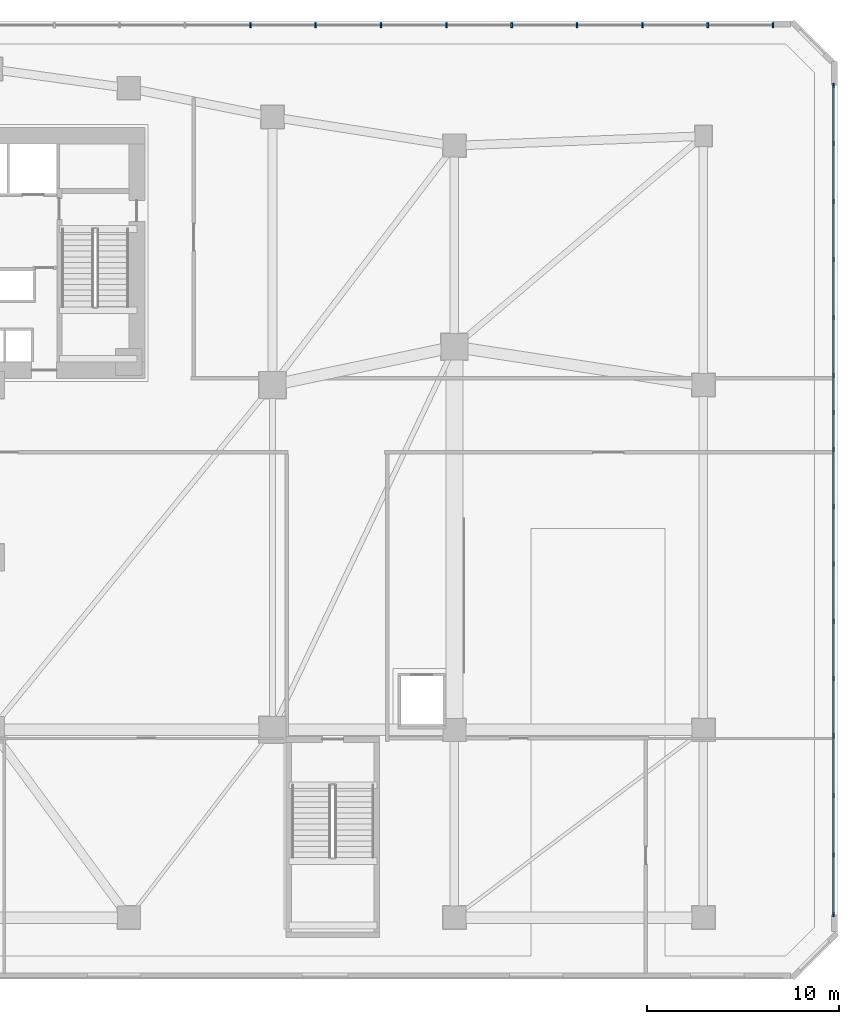
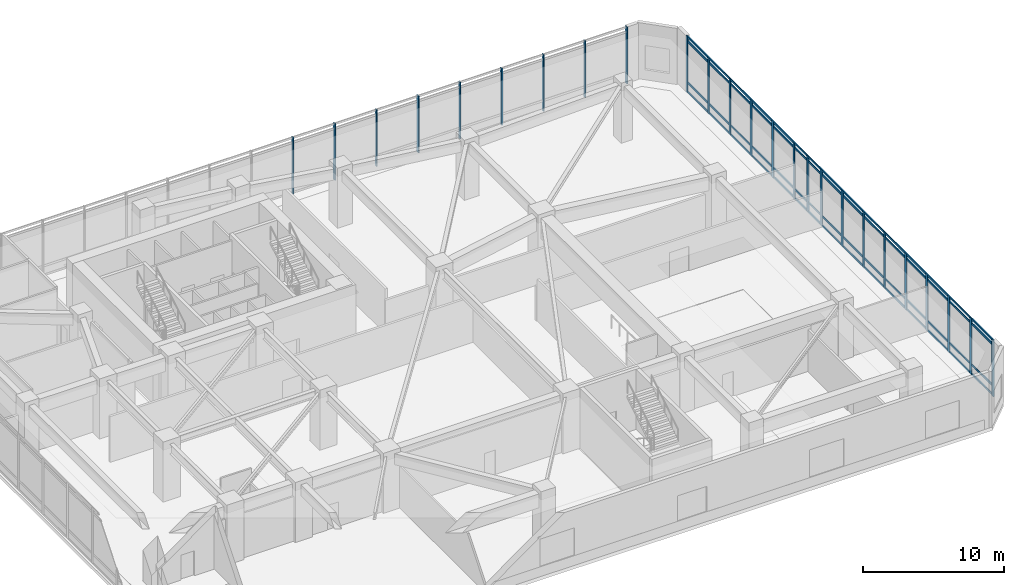
# One storey, part 7 of 15: 29 members, 2 elements without a shape of their own.
"""IFC4 building model written with IfcOpenShell, lengths in metres."""

from ifc_helpers import new_model, si_unit, direction, frame, origin, origin_2d, place, context, subcontext, project, spatial, rectangle, extrude, source, transform, mapped, material, material_profile, profile_set, type_object, element, aggregate, save


model = new_model("IFC4")

# Units and contexts
model_context = context("Model", 3, precision=1e-05, world=origin(), true_north=direction((0.0, 1.0)))
body_context = subcontext(model_context, "Body", "Model", "MODEL_VIEW")
ifc_project = project(units=[si_unit("LENGTHUNIT", "METRE"), si_unit("AREAUNIT", "SQUARE_METRE"), si_unit("VOLUMEUNIT", "CUBIC_METRE"), si_unit("PLANEANGLEUNIT", "RADIAN"), si_unit("MASSUNIT", "GRAM", prefix="KILO")], contexts=[model_context])

# Site, building, storey
site_placement = place(None, origin())
site = spatial("IfcSite", under=ifc_project, at=site_placement, CompositionType="ELEMENT")
building_placement = place(site_placement, origin())
building = spatial("IfcBuilding", under=site, at=building_placement, Name="Calvemar Wedge Station Tower", CompositionType="ELEMENT")
storey_placement = place(building_placement, frame((0.0, 0.0, 16.39990234375)))
storey = spatial("IfcBuildingStorey", under=building, at=storey_placement, Name="L04", CompositionType="ELEMENT", Elevation=16.39990234375)

# Curtain wall, members
ifc_material = material(Name="Anodised aluminium 6063-T6", Category="aluminium")
curtain_wall_type = type_object("IfcCurtainWallType", Name="CW5", PredefinedType="NOTDEFINED", material=ifc_material)
curtain_wall_1_placement = place(storey_placement, origin())
curtain_wall_1 = element("IfcCurtainWall", 1, at=curtain_wall_1_placement, inside=storey, type_object=curtain_wall_type, Name="Storey L04 CW5 Recessed Unitised Curtain Wall 2", PredefinedType="NOTDEFINED")
ifc_material_profile_1 = material_profile(ifc_material, rectangle(XDim=0.0849609375, YDim=0.169921875, at=origin_2d()), Name="AL-TRN-85x170")
ifc_profile_set_1 = profile_set([ifc_material_profile_1], Name="Anodised aluminium 6063-T6")
member_type_1 = type_object("IfcMemberType", Name="CW5-TRN", PredefinedType="USERDEFINED", material=ifc_profile_set_1)
shared_shape_1 = source(origin(), body_context, "Body", "SweptSolid", [
    extrude(rectangle(XDim=0.0849609375, YDim=0.169921875, at=origin_2d()), origin(), (0.0, 0.0, 1.0), 43.27587890625),
])
member_1_placement = place(storey_placement, frame((67.7900390625, 5.362060546875, 0.06005859375), z_axis=(0.0, 1.0, 0.0), x_axis=(-1.0, 0.0, 0.0)))
member_1 = element("IfcMember", 2, at=member_1_placement, type_object=member_type_1, Name="CW5 transom 1", ObjectType="TRANSOM", PredefinedType="USERDEFINED", context=body_context, shape_type="MappedRepresentation", body=[
    mapped(shared_shape_1, transform((0.0, 0.0, 0.0), scale=1.0)),
])
member_2_placement = place(storey_placement, frame((67.7900390625, 5.362060546875, 0.85009765625), z_axis=(0.0, 1.0, 0.0), x_axis=(-1.0, 0.0, 0.0)))
member_2 = element("IfcMember", 3, at=member_2_placement, type_object=member_type_1, Name="CW5 transom 2", ObjectType="TRANSOM", PredefinedType="USERDEFINED", context=body_context, shape_type="MappedRepresentation", body=[
    mapped(shared_shape_1, transform((0.0, 0.0, 0.0), scale=1.0)),
])
member_3_placement = place(storey_placement, frame((67.7900390625, 5.362060546875, 4.400146484375), z_axis=(0.0, 1.0, 0.0), x_axis=(-1.0, 0.0, 0.0)))
member_3 = element("IfcMember", 4, at=member_3_placement, type_object=member_type_1, Name="CW5 transom 3", ObjectType="TRANSOM", PredefinedType="USERDEFINED", context=body_context, shape_type="MappedRepresentation", body=[
    mapped(shared_shape_1, transform((0.0, 0.0, 0.0), scale=1.0)),
])
member_4_placement = place(storey_placement, frame((67.7900390625, 5.362060546875, 4.7900390625), z_axis=(0.0, 1.0, 0.0), x_axis=(-1.0, 0.0, 0.0)))
member_4 = element("IfcMember", 5, at=member_4_placement, type_object=member_type_1, Name="CW5 transom 4", ObjectType="TRANSOM", PredefinedType="USERDEFINED", context=body_context, shape_type="MappedRepresentation", body=[
    mapped(shared_shape_1, transform((0.0, 0.0, 0.0), scale=1.0)),
])
ifc_material_profile_2 = material_profile(ifc_material, rectangle(XDim=0.0849609375, YDim=0.239990234375, at=origin_2d()), Name="AL-MUL-85x240")
ifc_profile_set_2 = profile_set([ifc_material_profile_2], Name="Anodised aluminium 6063-T6")
member_type_2 = type_object("IfcMemberType", Name="CW5-MUL", PredefinedType="MULLION", material=ifc_profile_set_2)
shared_shape_2 = source(origin(), body_context, "Body", "SweptSolid", [
    extrude(rectangle(XDim=0.0849609375, YDim=0.239990234375, at=origin_2d()), origin(), (0.0, 0.0, 1.0), 4.89990234375),
])
member_5_placement = place(storey_placement, frame((67.7900390625, 5.362060546875, -0.0498046875), z_axis=(0.0, 0.0, 1.0), x_axis=(1.0, 0.0, 0.0)))
member_5 = element("IfcMember", 6, at=member_5_placement, type_object=member_type_2, Name="CW5 mullion 1", PredefinedType="MULLION", context=body_context, shape_type="MappedRepresentation", body=[
    mapped(shared_shape_2, transform((0.0, 0.0, 0.0), scale=1.0)),
])
member_6_placement = place(storey_placement, frame((67.7900390625, 8.471435546875, -0.0498046875), z_axis=(0.0, 0.0, 1.0), x_axis=(1.0, 0.0, 0.0)))
member_6 = element("IfcMember", 7, at=member_6_placement, type_object=member_type_2, Name="CW5 mullion 2", PredefinedType="MULLION", context=body_context, shape_type="MappedRepresentation", body=[
    mapped(shared_shape_2, transform((0.0, 0.0, 0.0), scale=1.0)),
])
member_7_placement = place(storey_placement, frame((67.7900390625, 11.580810546875, -0.0498046875), z_axis=(0.0, 0.0, 1.0), x_axis=(1.0, 0.0, 0.0)))
member_7 = element("IfcMember", 8, at=member_7_placement, type_object=member_type_2, Name="CW5 mullion 3", PredefinedType="MULLION", context=body_context, shape_type="MappedRepresentation", body=[
    mapped(shared_shape_2, transform((0.0, 0.0, 0.0), scale=1.0)),
])
member_8_placement = place(storey_placement, frame((67.7900390625, 14.68994140625, -0.0498046875), z_axis=(0.0, 0.0, 1.0), x_axis=(1.0, 0.0, 0.0)))
member_8 = element("IfcMember", 9, at=member_8_placement, type_object=member_type_2, Name="CW5 mullion 4", PredefinedType="MULLION", context=body_context, shape_type="MappedRepresentation", body=[
    mapped(shared_shape_2, transform((0.0, 0.0, 0.0), scale=1.0)),
])
member_9_placement = place(storey_placement, frame((67.7900390625, 17.679931640625, -0.0498046875), z_axis=(0.0, 0.0, 1.0), x_axis=(1.0, 0.0, 0.0)))
member_9 = element("IfcMember", 10, at=member_9_placement, type_object=member_type_2, Name="CW5 mullion 5", PredefinedType="MULLION", context=body_context, shape_type="MappedRepresentation", body=[
    mapped(shared_shape_2, transform((0.0, 0.0, 0.0), scale=1.0)),
])
member_10_placement = place(storey_placement, frame((67.7900390625, 20.669921875, -0.0498046875), z_axis=(0.0, 0.0, 1.0), x_axis=(1.0, 0.0, 0.0)))
member_10 = element("IfcMember", 11, at=member_10_placement, type_object=member_type_2, Name="CW5 mullion 6", PredefinedType="MULLION", context=body_context, shape_type="MappedRepresentation", body=[
    mapped(shared_shape_2, transform((0.0, 0.0, 0.0), scale=1.0)),
])
member_11_placement = place(storey_placement, frame((67.7900390625, 23.659912109375, -0.0498046875), z_axis=(0.0, 0.0, 1.0), x_axis=(1.0, 0.0, 0.0)))
member_11 = element("IfcMember", 12, at=member_11_placement, type_object=member_type_2, Name="CW5 mullion 7", PredefinedType="MULLION", context=body_context, shape_type="MappedRepresentation", body=[
    mapped(shared_shape_2, transform((0.0, 0.0, 0.0), scale=1.0)),
])
member_12_placement = place(storey_placement, frame((67.7900390625, 26.64990234375, -0.0498046875), z_axis=(0.0, 0.0, 1.0), x_axis=(1.0, 0.0, 0.0)))
member_12 = element("IfcMember", 13, at=member_12_placement, type_object=member_type_2, Name="CW5 mullion 8", PredefinedType="MULLION", context=body_context, shape_type="MappedRepresentation", body=[
    mapped(shared_shape_2, transform((0.0, 0.0, 0.0), scale=1.0)),
])
member_13_placement = place(storey_placement, frame((67.7900390625, 29.639892578125, -0.0498046875), z_axis=(0.0, 0.0, 1.0), x_axis=(1.0, 0.0, 0.0)))
member_13 = element("IfcMember", 14, at=member_13_placement, type_object=member_type_2, Name="CW5 mullion 9", PredefinedType="MULLION", context=body_context, shape_type="MappedRepresentation", body=[
    mapped(shared_shape_2, transform((0.0, 0.0, 0.0), scale=1.0)),
])
member_14_placement = place(storey_placement, frame((67.7900390625, 31.56494140625, -0.0498046875), z_axis=(0.0, 0.0, 1.0), x_axis=(1.0, 0.0, 0.0)))
member_14 = element("IfcMember", 15, at=member_14_placement, type_object=member_type_2, Name="CW5 mullion 10", PredefinedType="MULLION", context=body_context, shape_type="MappedRepresentation", body=[
    mapped(shared_shape_2, transform((0.0, 0.0, 0.0), scale=1.0)),
])
member_15_placement = place(storey_placement, frame((67.7900390625, 33.489990234375, -0.0498046875), z_axis=(0.0, 0.0, 1.0), x_axis=(1.0, 0.0, 0.0)))
member_15 = element("IfcMember", 16, at=member_15_placement, type_object=member_type_2, Name="CW5 mullion 11", PredefinedType="MULLION", context=body_context, shape_type="MappedRepresentation", body=[
    mapped(shared_shape_2, transform((0.0, 0.0, 0.0), scale=1.0)),
])
member_16_placement = place(storey_placement, frame((67.7900390625, 36.51953125, -0.0498046875), z_axis=(0.0, 0.0, 1.0), x_axis=(1.0, 0.0, 0.0)))
member_16 = element("IfcMember", 17, at=member_16_placement, type_object=member_type_2, Name="CW5 mullion 12", PredefinedType="MULLION", context=body_context, shape_type="MappedRepresentation", body=[
    mapped(shared_shape_2, transform((0.0, 0.0, 0.0), scale=1.0)),
])
member_17_placement = place(storey_placement, frame((67.7900390625, 39.54931640625, -0.0498046875), z_axis=(0.0, 0.0, 1.0), x_axis=(1.0, 0.0, 0.0)))
member_17 = element("IfcMember", 18, at=member_17_placement, type_object=member_type_2, Name="CW5 mullion 13", PredefinedType="MULLION", context=body_context, shape_type="MappedRepresentation", body=[
    mapped(shared_shape_2, transform((0.0, 0.0, 0.0), scale=1.0)),
])
member_18_placement = place(storey_placement, frame((67.7900390625, 42.57861328125, -0.0498046875), z_axis=(0.0, 0.0, 1.0), x_axis=(1.0, 0.0, 0.0)))
member_18 = element("IfcMember", 19, at=member_18_placement, type_object=member_type_2, Name="CW5 mullion 14", PredefinedType="MULLION", context=body_context, shape_type="MappedRepresentation", body=[
    mapped(shared_shape_2, transform((0.0, 0.0, 0.0), scale=1.0)),
])
member_19_placement = place(storey_placement, frame((67.7900390625, 45.6083984375, -0.0498046875), z_axis=(0.0, 0.0, 1.0), x_axis=(1.0, 0.0, 0.0)))
member_19 = element("IfcMember", 20, at=member_19_placement, type_object=member_type_2, Name="CW5 mullion 15", PredefinedType="MULLION", context=body_context, shape_type="MappedRepresentation", body=[
    mapped(shared_shape_2, transform((0.0, 0.0, 0.0), scale=1.0)),
])
member_20_placement = place(storey_placement, frame((67.7900390625, 48.637939453125, -0.0498046875), z_axis=(0.0, 0.0, 1.0), x_axis=(1.0, 0.0, 0.0)))
member_20 = element("IfcMember", 21, at=member_20_placement, type_object=member_type_2, Name="CW5 mullion 16", PredefinedType="MULLION", context=body_context, shape_type="MappedRepresentation", body=[
    mapped(shared_shape_2, transform((0.0, 0.0, 0.0), scale=1.0)),
])
aggregate(curtain_wall_1, [member_5, member_6, member_7, member_8, member_9, member_10, member_11, member_12, member_13, member_14, member_15, member_16, member_17, member_18, member_19, member_20, member_1, member_2, member_3, member_4])

curtain_wall_2_placement = place(storey_placement, origin())
curtain_wall_2 = element("IfcCurtainWall", 22, at=curtain_wall_2_placement, inside=storey, type_object=curtain_wall_type, Name="Storey L04 CW5 Recessed Unitised Curtain Wall 4", PredefinedType="NOTDEFINED")
member_21_placement = place(storey_placement, frame((64.637939453125, 51.7900390625, -0.0498046875), z_axis=(0.0, 0.0, 1.0), x_axis=(1.0, 0.0, 0.0)))
member_21 = element("IfcMember", 23, at=member_21_placement, type_object=member_type_2, Name="CW5 mullion 1", PredefinedType="MULLION", context=body_context, shape_type="MappedRepresentation", body=[
    mapped(shared_shape_2, transform((0.0, 0.0, 0.0), scale=1.0)),
])
member_22_placement = place(storey_placement, frame((61.22607421875, 51.7900390625, -0.0498046875), z_axis=(0.0, 0.0, 1.0), x_axis=(1.0, 0.0, 0.0)))
member_22 = element("IfcMember", 24, at=member_22_placement, type_object=member_type_2, Name="CW5 mullion 2", PredefinedType="MULLION", context=body_context, shape_type="MappedRepresentation", body=[
    mapped(shared_shape_2, transform((0.0, 0.0, 0.0), scale=1.0)),
])
member_23_placement = place(storey_placement, frame((57.814208984375, 51.7900390625, -0.0498046875), z_axis=(0.0, 0.0, 1.0), x_axis=(1.0, 0.0, 0.0)))
member_23 = element("IfcMember", 25, at=member_23_placement, type_object=member_type_2, Name="CW5 mullion 3", PredefinedType="MULLION", context=body_context, shape_type="MappedRepresentation", body=[
    mapped(shared_shape_2, transform((0.0, 0.0, 0.0), scale=1.0)),
])
member_24_placement = place(storey_placement, frame((54.40234375, 51.7900390625, -0.0498046875), z_axis=(0.0, 0.0, 1.0), x_axis=(1.0, 0.0, 0.0)))
member_24 = element("IfcMember", 26, at=member_24_placement, type_object=member_type_2, Name="CW5 mullion 4", PredefinedType="MULLION", context=body_context, shape_type="MappedRepresentation", body=[
    mapped(shared_shape_2, transform((0.0, 0.0, 0.0), scale=1.0)),
])
member_25_placement = place(storey_placement, frame((50.990478515625, 51.7900390625, -0.0498046875), z_axis=(0.0, 0.0, 1.0), x_axis=(1.0, 0.0, 0.0)))
member_25 = element("IfcMember", 27, at=member_25_placement, type_object=member_type_2, Name="CW5 mullion 5", PredefinedType="MULLION", context=body_context, shape_type="MappedRepresentation", body=[
    mapped(shared_shape_2, transform((0.0, 0.0, 0.0), scale=1.0)),
])
member_26_placement = place(storey_placement, frame((47.57861328125, 51.7900390625, -0.0498046875), z_axis=(0.0, 0.0, 1.0), x_axis=(1.0, 0.0, 0.0)))
member_26 = element("IfcMember", 28, at=member_26_placement, type_object=member_type_2, Name="CW5 mullion 6", PredefinedType="MULLION", context=body_context, shape_type="MappedRepresentation", body=[
    mapped(shared_shape_2, transform((0.0, 0.0, 0.0), scale=1.0)),
])
member_27_placement = place(storey_placement, frame((44.166748046875, 51.7900390625, -0.0498046875), z_axis=(0.0, 0.0, 1.0), x_axis=(1.0, 0.0, 0.0)))
member_27 = element("IfcMember", 29, at=member_27_placement, type_object=member_type_2, Name="CW5 mullion 7", PredefinedType="MULLION", context=body_context, shape_type="MappedRepresentation", body=[
    mapped(shared_shape_2, transform((0.0, 0.0, 0.0), scale=1.0)),
])
member_28_placement = place(storey_placement, frame((40.7548828125, 51.7900390625, -0.0498046875), z_axis=(0.0, 0.0, 1.0), x_axis=(1.0, 0.0, 0.0)))
member_28 = element("IfcMember", 30, at=member_28_placement, type_object=member_type_2, Name="CW5 mullion 8", PredefinedType="MULLION", context=body_context, shape_type="MappedRepresentation", body=[
    mapped(shared_shape_2, transform((0.0, 0.0, 0.0), scale=1.0)),
])
member_29_placement = place(storey_placement, frame((37.343017578125, 51.7900390625, -0.0498046875), z_axis=(0.0, 0.0, 1.0), x_axis=(1.0, 0.0, 0.0)))
member_29 = element("IfcMember", 31, at=member_29_placement, type_object=member_type_2, Name="CW5 mullion 9", PredefinedType="MULLION", context=body_context, shape_type="MappedRepresentation", body=[
    mapped(shared_shape_2, transform((0.0, 0.0, 0.0), scale=1.0)),
])
aggregate(curtain_wall_2, [member_21, member_22, member_23, member_24, member_25, member_26, member_27, member_28, member_29])

save(model, "model.ifc")
